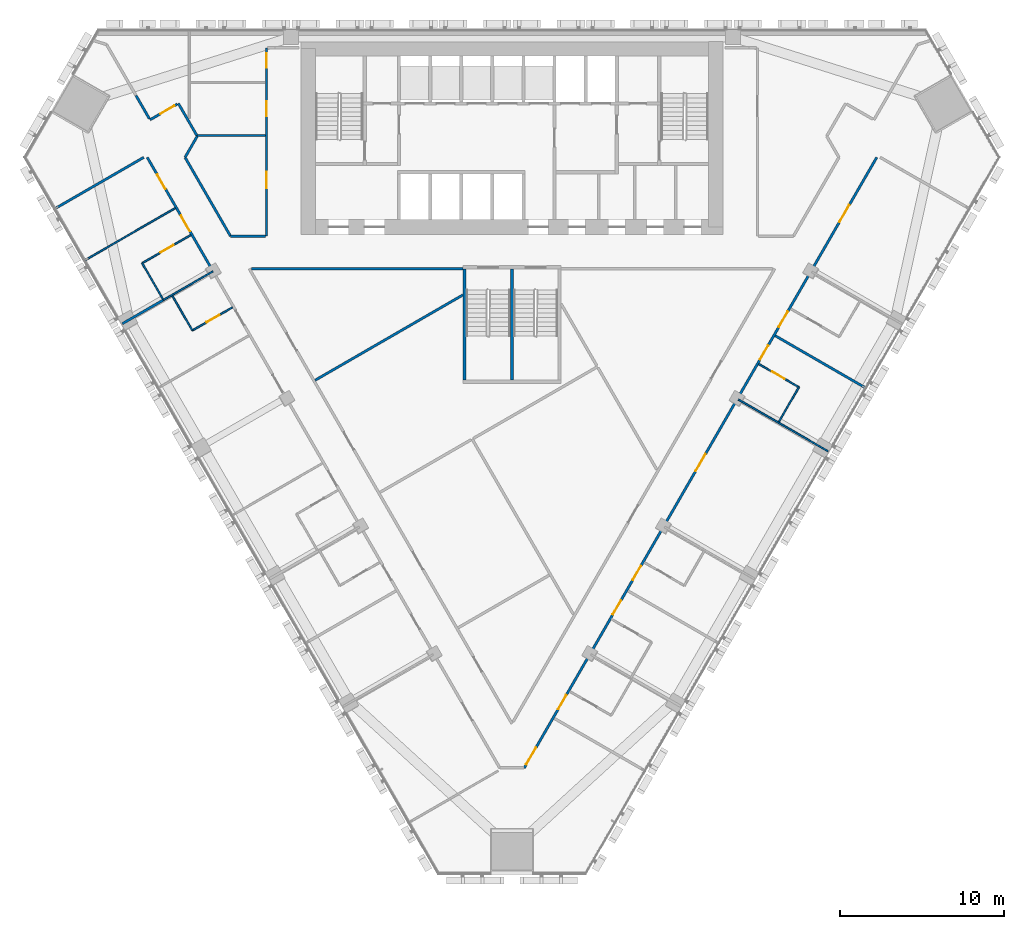
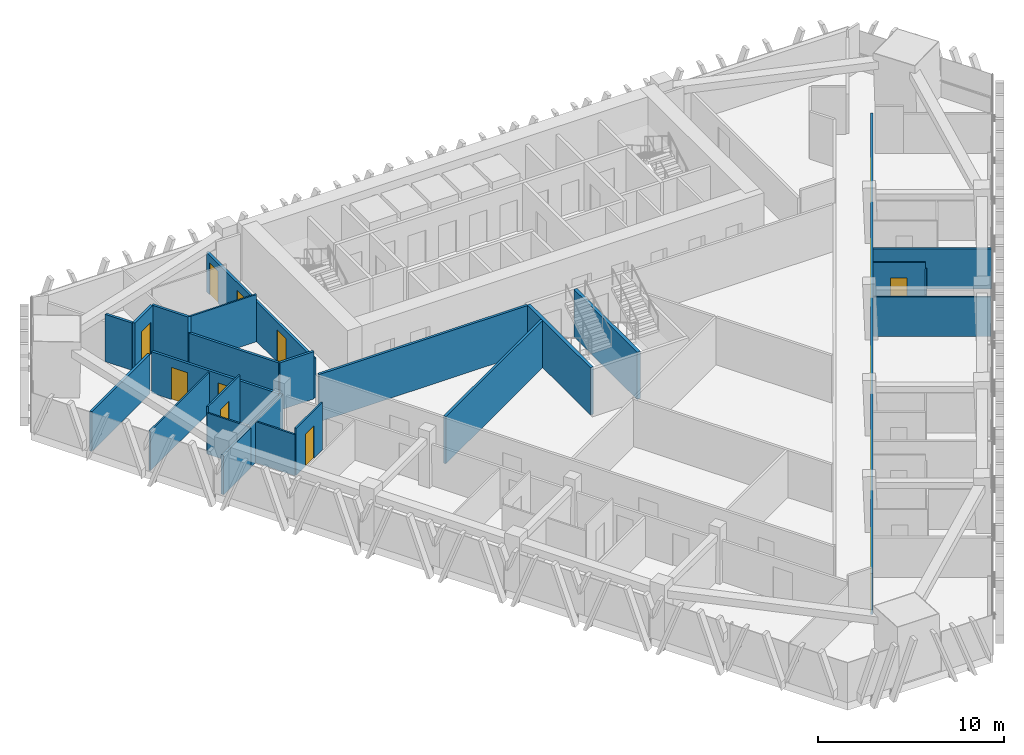
# One storey, part 10 of 16: 26 walls, 17 doors, 17 openings.
"""IFC4 building model written with IfcOpenShell, lengths in metres."""

from ifc_helpers import new_model, si_unit, direction, frame, frame_2d, origin, place, context, subcontext, project, spatial, rectangle, extrude, material, layer, layer_set, type_object, element, fill, save


model = new_model("IFC4")

# Units and contexts
model_context = context("Model", 3, precision=1e-05, world=origin(), true_north=direction((0.0, 1.0)))
body_context = subcontext(model_context, "Body", "Model", "MODEL_VIEW")
ifc_project = project(units=[si_unit("LENGTHUNIT", "METRE"), si_unit("AREAUNIT", "SQUARE_METRE"), si_unit("VOLUMEUNIT", "CUBIC_METRE"), si_unit("PLANEANGLEUNIT", "RADIAN"), si_unit("MASSUNIT", "GRAM", prefix="KILO")], contexts=[model_context])

# Site, building, storey
site_placement = place(None, origin())
site = spatial("IfcSite", under=ifc_project, at=site_placement, CompositionType="ELEMENT")
building_placement = place(site_placement, origin())
building = spatial("IfcBuilding", under=site, at=building_placement, Name="Altiplano Prism Tower", CompositionType="ELEMENT")
storey_placement = place(building_placement, frame((0.0, 0.0, 73.800048828125)))
storey = spatial("IfcBuildingStorey", under=building, at=storey_placement, Name="L18", CompositionType="ELEMENT", Elevation=73.800048828125)

# Wall
ifc_material_1 = material(Name="Plasterboard on steel stud", Category="steel")
ifc_layer_1 = layer(ifc_material_1, 0.10009765625)
ifc_layer_set_1 = layer_set([ifc_layer_1], Name="Plasterboard on steel stud")
wall_type_1 = type_object("IfcWallType", Name="Partition 100 unit", PredefinedType="PARTITIONING", material=ifc_layer_set_1)
wall_1_placement = place(storey_placement, frame((63.663818359375, 88.557373046875, 0.0), z_axis=(0.0, 0.0, 1.0), x_axis=(-0.499976333282, 0.866039067339, 0.0)))
element("IfcWall", 1, at=wall_1_placement, inside=storey, type_object=wall_type_1, Name="Partition P02 L18 034", PredefinedType="PARTITIONING", context=body_context, shape_type="SweptSolid", body=[
    extrude(rectangle(XDim=2.52490234375, YDim=0.10009765625, at=frame_2d((1.262451171875, 0.0))), origin(), (0.0, 0.0, 1.0), 2.699951171875),
])

# Wall, opening, door
wall_2_placement = place(storey_placement, frame((62.4013671875, 90.744140625, 0.0), z_axis=(0.0, 0.0, 1.0), x_axis=(0.866032454348, 0.499987787867, 0.0)))
wall_2 = element("IfcWall", 2, at=wall_2_placement, inside=storey, type_object=wall_type_1, Name="Partition P02 L18 035", PredefinedType="PARTITIONING", context=body_context, shape_type="SweptSolid", body=[
    extrude(rectangle(XDim=3.4248046875, YDim=0.10009765625, at=frame_2d((1.71240234375, 0.0))), origin(), (0.0, 0.0, 1.0), 3.099853515625),
])
opening_1_placement = place(wall_2_placement, frame((1.300048828125, 0.0, 0.0)))
opening_1 = element("IfcOpeningElement", 3, at=opening_1_placement, cuts=wall_2, Name="Opening D0688", PredefinedType="OPENING", context=body_context, shape_type="SweptSolid", body=[
    extrude(rectangle(XDim=0.89990234375, YDim=2.10009765625, at=frame_2d((0.449951171875, 1.050048828125))), frame((0.0, 0.060546875, 0.0), z_axis=(0.0, -1.0, 0.0), x_axis=(1.0, 0.0, 0.0)), (0.0, 0.0, 1.0), 0.12109375),
])
ifc_material_2 = material(Name="Timber", Category="wood")
door_type_1 = type_object("IfcDoorType", Name="Accessible ensuite door 900 x 2100", OperationType="NOTDEFINED", PredefinedType="NOTDEFINED", material=ifc_material_2)
door_1_placement = place(opening_1_placement, origin())
door_1 = element("IfcDoor", 4, at=door_1_placement, inside=storey, type_object=door_type_1, Name="Door D0688", OperationType="SINGLE_SWING_RIGHT", OverallHeight=2.10009765625, OverallWidth=0.89990234375, PredefinedType="NOTDEFINED", context=body_context, shape_type="SweptSolid", body=[
    extrude(rectangle(XDim=0.89990234375, YDim=2.10009765625, at=frame_2d((0.449951171875, 1.050048828125))), frame((0.0, 0.02490234375, 0.0), z_axis=(0.0, -1.0, 0.0), x_axis=(1.0, 0.0, 0.0)), (0.0, 0.0, 1.0), 0.050048828125),
])
fill(opening_1, door_1)

wall_3_placement = place(storey_placement, frame((67.91748046875, 88.039794921875, 0.0), z_axis=(0.0, 0.0, 1.0), x_axis=(-0.866048868473, -0.499959355765, 0.0)))
wall_3 = element("IfcWall", 5, at=wall_3_placement, inside=storey, type_object=wall_type_1, Name="Partition P02 L18 038", PredefinedType="PARTITIONING", context=body_context, shape_type="SweptSolid", body=[
    extrude(rectangle(XDim=2.824951171875, YDim=0.10009765625, at=frame_2d((1.41259765625, 0.0))), origin(), (0.0, 0.0, 1.0), 3.099853515625),
])
opening_2_placement = place(wall_3_placement, frame((0.925048828125, 0.0, 0.0)))
opening_2 = element("IfcOpeningElement", 6, at=opening_2_placement, cuts=wall_3, Name="Opening D0690", PredefinedType="OPENING", context=body_context, shape_type="SweptSolid", body=[
    extrude(rectangle(XDim=0.89990234375, YDim=2.10009765625, at=frame_2d((0.449951171875, 1.050048828125))), frame((0.0, 0.060546875, 0.0), z_axis=(0.0, -1.0, 0.0), x_axis=(1.0, 0.0, 0.0)), (0.0, 0.0, 1.0), 0.12109375),
])
door_type_2 = type_object("IfcDoorType", Name="Ensuite door 900 x 2100", OperationType="NOTDEFINED", PredefinedType="NOTDEFINED", material=ifc_material_2)
door_2_placement = place(opening_2_placement, origin())
door_2 = element("IfcDoor", 7, at=door_2_placement, inside=storey, type_object=door_type_2, Name="Door D0690", OperationType="SINGLE_SWING_LEFT", OverallHeight=2.10009765625, OverallWidth=0.89990234375, PredefinedType="NOTDEFINED", context=body_context, shape_type="SweptSolid", body=[
    extrude(rectangle(XDim=0.89990234375, YDim=2.10009765625, at=frame_2d((0.449951171875, 1.050048828125))), frame((0.0, 0.02490234375, 0.0), z_axis=(0.0, -1.0, 0.0), x_axis=(1.0, 0.0, 0.0)), (0.0, 0.0, 1.0), 0.050048828125),
])
fill(opening_2, door_2)

# Wall
wall_4_placement = place(storey_placement, frame((65.470947265625, 86.62744140625, 0.0), z_axis=(0.0, 0.0, 1.0), x_axis=(-0.499987006516, 0.866032905446, 0.0)))
element("IfcWall", 8, at=wall_4_placement, inside=storey, type_object=wall_type_1, Name="Partition P02 L18 039", PredefinedType="PARTITIONING", context=body_context, shape_type="SweptSolid", body=[
    extrude(rectangle(XDim=2.44970703125, YDim=0.10009765625, at=frame_2d((1.224853515625, 0.0))), origin(), (0.0, 0.0, 1.0), 2.699951171875),
])

# Wall, opening, door
wall_5_placement = place(storey_placement, frame((100.08251953125, 84.57568359375, 0.0), z_axis=(0.0, 0.0, 1.0), x_axis=(0.866048868473, -0.499959355765, 0.0)))
wall_5 = element("IfcWall", 9, at=wall_5_placement, inside=storey, type_object=wall_type_1, Name="Partition P02 L18 063", PredefinedType="PARTITIONING", context=body_context, shape_type="SweptSolid", body=[
    extrude(rectangle(XDim=2.824951171875, YDim=0.10009765625, at=frame_2d((1.41259765625, 0.0))), origin(), (0.0, 0.0, 1.0), 3.099853515625),
])
opening_3_placement = place(wall_5_placement, frame((0.925048828125, 0.0, 0.0)))
opening_3 = element("IfcOpeningElement", 10, at=opening_3_placement, cuts=wall_5, Name="Opening D0707", PredefinedType="OPENING", context=body_context, shape_type="SweptSolid", body=[
    extrude(rectangle(XDim=0.89990234375, YDim=2.10009765625, at=frame_2d((0.449951171875, 1.050048828125))), frame((0.0, 0.060546875, 0.0), z_axis=(0.0, -1.0, 0.0), x_axis=(1.0, 0.0, 0.0)), (0.0, 0.0, 1.0), 0.12109375),
])
door_3_placement = place(opening_3_placement, origin())
door_3 = element("IfcDoor", 11, at=door_3_placement, inside=storey, type_object=door_type_2, Name="Door D0707", OperationType="SINGLE_SWING_LEFT", OverallHeight=2.10009765625, OverallWidth=0.89990234375, PredefinedType="NOTDEFINED", context=body_context, shape_type="SweptSolid", body=[
    extrude(rectangle(XDim=0.89990234375, YDim=2.10009765625, at=frame_2d((0.449951171875, 1.050048828125))), frame((0.0, 0.02490234375, 0.0), z_axis=(0.0, -1.0, 0.0), x_axis=(1.0, 0.0, 0.0)), (0.0, 0.0, 1.0), 0.050048828125),
])
fill(opening_3, door_3)

# Walls
wall_6_placement = place(storey_placement, frame((102.529052734375, 83.163330078125, 0.0), z_axis=(0.0, 0.0, 1.0), x_axis=(-0.500018594424, -0.866014668023, 0.0)))
element("IfcWall", 12, at=wall_6_placement, inside=storey, type_object=wall_type_1, Name="Partition P02 L18 064", PredefinedType="PARTITIONING", context=body_context, shape_type="SweptSolid", body=[
    extrude(rectangle(XDim=2.4501953125, YDim=0.10009765625, at=frame_2d((1.22509765625, 0.0))), origin(), (0.0, 0.0, 1.0), 2.699951171875),
])
ifc_layer_2 = layer(ifc_material_1, 0.10009765625)
ifc_layer_set_2 = layer_set([ifc_layer_2], Name="Plasterboard on steel stud")
wall_type_2 = type_object("IfcWallType", Name="Partition 100 wet", PredefinedType="PARTITIONING", material=ifc_layer_set_2)
wall_7_placement = place(storey_placement, frame((65.7431640625, 98.54541015625, 0.0), z_axis=(0.0, 0.0, 1.0), x_axis=(1.0, 0.0, 0.0)))
element("IfcWall", 13, at=wall_7_placement, inside=storey, type_object=wall_type_2, Name="Partition P03 L18 028", PredefinedType="PARTITIONING", context=body_context, shape_type="SweptSolid", body=[
    extrude(rectangle(XDim=4.181884765625, YDim=0.10009765625, at=frame_2d((2.0908203125, 0.0))), origin(), (0.0, 0.0, 1.0), 3.099853515625),
])
wall_8_placement = place(storey_placement, frame((58.92236328125, 90.929443359375, 0.0), z_axis=(0.0, 0.0, 1.0), x_axis=(0.866025401434, 0.500000004071, 0.0)))
element("IfcWall", 14, at=wall_8_placement, inside=storey, type_object=wall_type_2, Name="Partition P03 L18 033", PredefinedType="PARTITIONING", context=body_context, shape_type="SweptSolid", body=[
    extrude(rectangle(XDim=6.34521484375, YDim=0.10009765625, at=frame_2d((3.172607421875, 0.0))), origin(), (0.0, 0.0, 1.0), 2.599853515625),
])
wall_9_placement = place(storey_placement, frame((63.68408203125, 88.482421875, 0.0), z_axis=(0.0, 0.0, 1.0), x_axis=(0.866019260715, 0.500010639957, 0.0)))
element("IfcWall", 15, at=wall_9_placement, inside=storey, type_object=wall_type_2, Name="Partition P03 L18 037", PredefinedType="PARTITIONING", context=body_context, shape_type="SweptSolid", body=[
    extrude(rectangle(XDim=3.52001953125, YDim=0.10009765625, at=frame_2d((1.760009765625, 0.0))), origin(), (0.0, 0.0, 1.0), 2.699951171875),
])
wall_10_placement = place(storey_placement, frame((104.31005859375, 79.248291015625, 0.0), z_axis=(0.0, 0.0, 1.0), x_axis=(-0.866032601554, 0.49998753289, 0.0)))
element("IfcWall", 16, at=wall_10_placement, inside=storey, type_object=wall_type_2, Name="Partition P03 L18 062", PredefinedType="PARTITIONING", context=body_context, shape_type="SweptSolid", body=[
    extrude(rectangle(XDim=6.324951171875, YDim=0.10009765625, at=frame_2d((3.16259765625, 0.0))), origin(), (0.0, 0.0, 1.0), 2.599853515625),
])
ifc_layer_3 = layer(ifc_material_1, 0.14990234375)
ifc_layer_set_3 = layer_set([ifc_layer_3], Name="Plasterboard on steel stud")
wall_type_3 = type_object("IfcWallType", Name="Partition 150 corridor", PredefinedType="PARTITIONING", material=ifc_layer_set_3)
wall_11_placement = place(storey_placement, frame((65.7431640625, 98.54541015625, 0.0), z_axis=(0.0, 0.0, 1.0), x_axis=(-0.500383896675, 0.865803647456, 0.0)))
element("IfcWall", 17, at=wall_11_placement, inside=storey, type_object=wall_type_3, Name="Partition P06 L18 003", PredefinedType="PARTITIONING", context=body_context, shape_type="SweptSolid", body=[
    extrude(rectangle(XDim=2.257568359375, YDim=0.14990234375, at=frame_2d((1.12890625, 0.0))), origin(), (0.0, 0.0, 1.0), 3.099853515625),
])

# Wall, opening, door
wall_12_placement = place(storey_placement, frame((64.548583984375, 100.46240234375, 0.0), z_axis=(0.0, 0.0, 1.0), x_axis=(-0.866033512162, -0.499985955615, 0.0)))
wall_12 = element("IfcWall", 18, at=wall_12_placement, inside=storey, type_object=wall_type_3, Name="Partition P06 L18 004", PredefinedType="PARTITIONING", context=body_context, shape_type="SweptSolid", body=[
    extrude(rectangle(XDim=1.9248046875, YDim=0.14990234375, at=frame_2d((0.96240234375, 0.0))), origin(), (0.0, 0.0, 1.0), 3.099853515625),
])
opening_4_placement = place(wall_12_placement, frame((0.199951171875, 0.0, 0.0)))
opening_4 = element("IfcOpeningElement", 19, at=opening_4_placement, cuts=wall_12, Name="Opening D0684", PredefinedType="OPENING", context=body_context, shape_type="SweptSolid", body=[
    extrude(rectangle(XDim=1.0, YDim=2.10009765625, at=frame_2d((0.5, 1.050048828125))), frame((0.0, 0.08544921875, 0.0), z_axis=(0.0, -1.0, 0.0), x_axis=(1.0, 0.0, 0.0)), (0.0, 0.0, 1.0), 0.1708984375),
])
door_type_3 = type_object("IfcDoorType", Name="Store door 1000 x 2100", OperationType="NOTDEFINED", PredefinedType="NOTDEFINED", material=ifc_material_2)
door_4_placement = place(opening_4_placement, origin())
door_4 = element("IfcDoor", 20, at=door_4_placement, inside=storey, type_object=door_type_3, Name="Door D0684", OperationType="SINGLE_SWING_LEFT", OverallHeight=2.10009765625, OverallWidth=1.0, PredefinedType="NOTDEFINED", context=body_context, shape_type="SweptSolid", body=[
    extrude(rectangle(XDim=1.0, YDim=2.10009765625, at=frame_2d((0.5, 1.050048828125))), frame((0.0, 0.02490234375, 0.0), z_axis=(0.0, -1.0, 0.0), x_axis=(1.0, 0.0, 0.0)), (0.0, 0.0, 1.0), 0.050048828125),
])
fill(opening_4, door_4)

# Wall
wall_13_placement = place(storey_placement, frame((62.843994140625, 99.56494140625, 0.0), z_axis=(0.0, 0.0, 1.0), x_axis=(-0.50001794124, 0.866015045157, 0.0)))
element("IfcWall", 21, at=wall_13_placement, inside=storey, type_object=wall_type_3, Name="Partition P06 L18 005", PredefinedType="PARTITIONING", context=body_context, shape_type="SweptSolid", body=[
    extrude(rectangle(XDim=1.64501953125, YDim=0.14990234375, at=frame_2d((0.822509765625, 0.0))), origin(), (0.0, 0.0, 1.0), 3.099853515625),
])

# Wall, openings, doors
wall_14_placement = place(storey_placement, frame((70.0, 103.89990234375, 0.0), z_axis=(0.0, 0.0, 1.0), x_axis=(0.0, -1.0, 0.0)))
wall_14 = element("IfcWall", 22, at=wall_14_placement, inside=storey, type_object=wall_type_3, Name="Partition P06 L18 006", PredefinedType="PARTITIONING", context=body_context, shape_type="SweptSolid", body=[
    extrude(rectangle(XDim=11.5, YDim=0.14990234375, at=frame_2d((5.75, 0.0))), origin(), (0.0, 0.0, 1.0), 2.599853515625),
])
opening_5_placement = place(wall_14_placement, frame((3.27392578125, 0.0, 0.0)))
opening_5 = element("IfcOpeningElement", 23, at=opening_5_placement, cuts=wall_14, Name="Opening D0682", PredefinedType="OPENING", context=body_context, shape_type="SweptSolid", body=[
    extrude(rectangle(XDim=0.89990234375, YDim=2.10009765625, at=frame_2d((0.449951171875, 1.050048828125))), frame((0.0, 0.08544921875, 0.0), z_axis=(0.0, -1.0, 0.0), x_axis=(1.0, 0.0, 0.0)), (0.0, 0.0, 1.0), 0.1708984375),
])
opening_6_placement = place(wall_14_placement, frame((0.3291015625, 0.0, 0.0)))
opening_6 = element("IfcOpeningElement", 24, at=opening_6_placement, cuts=wall_14, Name="Opening D0683", PredefinedType="OPENING", context=body_context, shape_type="SweptSolid", body=[
    extrude(rectangle(XDim=0.89990234375, YDim=2.10009765625, at=frame_2d((0.449951171875, 1.050048828125))), frame((0.0, 0.08544921875, 0.0), z_axis=(0.0, -1.0, 0.0), x_axis=(1.0, 0.0, 0.0)), (0.0, 0.0, 1.0), 0.1708984375),
])
opening_7_placement = place(wall_14_placement, frame((7.56591796875, 0.0, 0.0)))
opening_7 = element("IfcOpeningElement", 25, at=opening_7_placement, cuts=wall_14, Name="Opening D0685", PredefinedType="OPENING", context=body_context, shape_type="SweptSolid", body=[
    extrude(rectangle(XDim=1.0, YDim=2.10009765625, at=frame_2d((0.5, 1.050048828125))), frame((0.0, 0.08544921875, 0.0), z_axis=(0.0, -1.0, 0.0), x_axis=(1.0, 0.0, 0.0)), (0.0, 0.0, 1.0), 0.1708984375),
])
door_5_placement = place(opening_7_placement, origin())
door_5 = element("IfcDoor", 26, at=door_5_placement, inside=storey, type_object=door_type_3, Name="Door D0685", OperationType="SINGLE_SWING_RIGHT", OverallHeight=2.10009765625, OverallWidth=1.0, PredefinedType="NOTDEFINED", context=body_context, shape_type="SweptSolid", body=[
    extrude(rectangle(XDim=1.0, YDim=2.10009765625, at=frame_2d((0.5, 1.050048828125))), frame((0.0, 0.02490234375, 0.0), z_axis=(0.0, -1.0, 0.0), x_axis=(1.0, 0.0, 0.0)), (0.0, 0.0, 1.0), 0.050048828125),
])
fill(opening_7, door_5)
door_type_4 = type_object("IfcDoorType", Name="Toilet door 900 x 2100", OperationType="NOTDEFINED", PredefinedType="NOTDEFINED", material=ifc_material_2)
door_6_placement = place(opening_5_placement, origin())
door_6 = element("IfcDoor", 27, at=door_6_placement, inside=storey, type_object=door_type_4, Name="Door D0682", OperationType="SINGLE_SWING_LEFT", OverallHeight=2.10009765625, OverallWidth=0.89990234375, PredefinedType="NOTDEFINED", context=body_context, shape_type="SweptSolid", body=[
    extrude(rectangle(XDim=0.89990234375, YDim=2.10009765625, at=frame_2d((0.449951171875, 1.050048828125))), frame((0.0, 0.02490234375, 0.0), z_axis=(0.0, -1.0, 0.0), x_axis=(1.0, 0.0, 0.0)), (0.0, 0.0, 1.0), 0.050048828125),
])
fill(opening_5, door_6)
door_7_placement = place(opening_6_placement, origin())
door_7 = element("IfcDoor", 28, at=door_7_placement, inside=storey, type_object=door_type_4, Name="Door D0683", OperationType="SINGLE_SWING_RIGHT", OverallHeight=2.10009765625, OverallWidth=0.89990234375, PredefinedType="NOTDEFINED", context=body_context, shape_type="SweptSolid", body=[
    extrude(rectangle(XDim=0.89990234375, YDim=2.10009765625, at=frame_2d((0.449951171875, 1.050048828125))), frame((0.0, 0.02490234375, 0.0), z_axis=(0.0, -1.0, 0.0), x_axis=(1.0, 0.0, 0.0)), (0.0, 0.0, 1.0), 0.050048828125),
])
fill(opening_6, door_7)

# Walls
wall_15_placement = place(storey_placement, frame((69.925048828125, 92.39990234375, 0.0), z_axis=(0.0, 0.0, 1.0), x_axis=(-1.0, 0.0, 0.0)))
element("IfcWall", 29, at=wall_15_placement, inside=storey, type_object=wall_type_3, Name="Partition P06 L18 007", PredefinedType="PARTITIONING", context=body_context, shape_type="SweptSolid", body=[
    extrude(rectangle(XDim=2.12890625, YDim=0.14990234375, at=frame_2d((1.064453125, 0.0))), origin(), (0.0, 0.0, 1.0), 3.099853515625),
])
wall_16_placement = place(storey_placement, frame((67.796142578125, 92.39990234375, 0.0), z_axis=(0.0, 0.0, 1.0), x_axis=(-0.499990275446, 0.866031018186, 0.0)))
element("IfcWall", 30, at=wall_16_placement, inside=storey, type_object=wall_type_3, Name="Partition P06 L18 008", PredefinedType="PARTITIONING", context=body_context, shape_type="SweptSolid", body=[
    extrude(rectangle(XDim=5.5498046875, YDim=0.14990234375, at=frame_2d((2.77490234375, 0.0))), origin(), (0.0, 0.0, 1.0), 3.099853515625),
])
wall_17_placement = place(storey_placement, frame((65.021240234375, 97.206298828125, 0.0), z_axis=(0.0, 0.0, 1.0), x_axis=(0.500076103225, 0.865981461108, 0.0)))
element("IfcWall", 31, at=wall_17_placement, inside=storey, type_object=wall_type_3, Name="Partition P06 L18 009", PredefinedType="PARTITIONING", context=body_context, shape_type="SweptSolid", body=[
    extrude(rectangle(XDim=1.493896484375, YDim=0.14990234375, at=frame_2d((0.7470703125, 0.0))), origin(), (0.0, 0.0, 1.0), 3.099853515625),
])

# Wall, openings, doors
wall_18_placement = place(storey_placement, frame((62.7119140625, 97.206298828125, 0.0), z_axis=(0.0, 0.0, 1.0), x_axis=(0.500014659176, -0.86601694014, 0.0)))
wall_18 = element("IfcWall", 32, at=wall_18_placement, inside=storey, type_object=wall_type_3, Name="Partition P06 L18 010", PredefinedType="PARTITIONING", context=body_context, shape_type="SweptSolid", body=[
    extrude(rectangle(XDim=7.859130859375, YDim=0.14990234375, at=frame_2d((3.9296875, 0.0))), origin(), (0.0, 0.0, 1.0), 2.699951171875),
])
opening_8_placement = place(wall_18_placement, frame((1.218017578125, 0.0, 0.0)))
opening_8 = element("IfcOpeningElement", 33, at=opening_8_placement, cuts=wall_18, Name="Opening D0686", PredefinedType="OPENING", context=body_context, shape_type="SweptSolid", body=[
    extrude(rectangle(XDim=1.0, YDim=2.10009765625, at=frame_2d((0.5, 1.050048828125))), frame((0.0, 0.08544921875, 0.0), z_axis=(0.0, -1.0, 0.0), x_axis=(1.0, 0.0, 0.0)), (0.0, 0.0, 1.0), 0.1708984375),
])
opening_9_placement = place(wall_18_placement, frame((4.112060546875, 0.0, 0.0)))
opening_9 = element("IfcOpeningElement", 34, at=opening_9_placement, cuts=wall_18, Name="Opening D0687", PredefinedType="OPENING", context=body_context, shape_type="SweptSolid", body=[
    extrude(rectangle(XDim=1.10009765625, YDim=2.10009765625, at=frame_2d((0.550048828125, 1.050048828125))), frame((0.0, 0.08544921875, 0.0), z_axis=(0.0, -1.0, 0.0), x_axis=(1.0, 0.0, 0.0)), (0.0, 0.0, 1.0), 0.1708984375),
])
door_type_5 = type_object("IfcDoorType", Name="Accessible bedroom door 1100 x 2100", OperationType="NOTDEFINED", PredefinedType="NOTDEFINED", material=ifc_material_2)
door_8_placement = place(opening_9_placement, origin())
door_8 = element("IfcDoor", 35, at=door_8_placement, inside=storey, type_object=door_type_5, Name="Door D0687", OperationType="SINGLE_SWING_RIGHT", OverallHeight=2.10009765625, OverallWidth=1.10009765625, PredefinedType="NOTDEFINED", context=body_context, shape_type="SweptSolid", body=[
    extrude(rectangle(XDim=1.10009765625, YDim=2.10009765625, at=frame_2d((0.550048828125, 1.050048828125))), frame((0.0, 0.02490234375, 0.0), z_axis=(0.0, -1.0, 0.0), x_axis=(1.0, 0.0, 0.0)), (0.0, 0.0, 1.0), 0.050048828125),
])
fill(opening_9, door_8)
door_type_6 = type_object("IfcDoorType", Name="Room door 1000 x 2100", OperationType="NOTDEFINED", PredefinedType="NOTDEFINED", material=ifc_material_2)
door_9_placement = place(opening_8_placement, origin())
door_9 = element("IfcDoor", 36, at=door_9_placement, inside=storey, type_object=door_type_6, Name="Door D0686", OperationType="SINGLE_SWING_LEFT", OverallHeight=2.10009765625, OverallWidth=1.0, PredefinedType="NOTDEFINED", context=body_context, shape_type="SweptSolid", body=[
    extrude(rectangle(XDim=1.0, YDim=2.10009765625, at=frame_2d((0.5, 1.050048828125))), frame((0.0, 0.02490234375, 0.0), z_axis=(0.0, -1.0, 0.0), x_axis=(1.0, 0.0, 0.0)), (0.0, 0.0, 1.0), 0.050048828125),
])
fill(opening_8, door_9)

wall_19_placement = place(storey_placement, frame((85.746826171875, 59.89599609375, 0.0), z_axis=(0.0, 0.0, 1.0), x_axis=(0.500002549277, 0.866023931954, 0.0)))
wall_19 = element("IfcWall", 37, at=wall_19_placement, inside=storey, type_object=wall_type_3, Name="Partition P06 L18 013", PredefinedType="PARTITIONING", context=body_context, shape_type="SweptSolid", body=[
    extrude(rectangle(XDim=43.082275390625, YDim=0.14990234375, at=frame_2d((21.541015625, 0.0))), origin(), (0.0, 0.0, 1.0), 2.699951171875),
])
opening_10_placement = place(wall_19_placement, frame((0.243896484375, 0.0, 0.0)))
opening_10 = element("IfcOpeningElement", 38, at=opening_10_placement, cuts=wall_19, Name="Opening D0698", PredefinedType="OPENING", context=body_context, shape_type="SweptSolid", body=[
    extrude(rectangle(XDim=1.199951171875, YDim=2.10009765625, at=frame_2d((0.60009765625, 1.050048828125))), frame((0.0, 0.08544921875, 0.0), z_axis=(0.0, -1.0, 0.0), x_axis=(1.0, 0.0, 0.0)), (0.0, 0.0, 1.0), 0.1708984375),
])
opening_11_placement = place(wall_19_placement, frame((4.14599609375, 0.0, 0.0)))
opening_11 = element("IfcOpeningElement", 39, at=opening_11_placement, cuts=wall_19, Name="Opening D0699", PredefinedType="OPENING", context=body_context, shape_type="SweptSolid", body=[
    extrude(rectangle(XDim=1.0, YDim=2.10009765625, at=frame_2d((0.5, 1.050048828125))), frame((0.0, 0.08544921875, 0.0), z_axis=(0.0, -1.0, 0.0), x_axis=(1.0, 0.0, 0.0)), (0.0, 0.0, 1.0), 0.1708984375),
])
opening_12_placement = place(wall_19_placement, frame((10.821044921875, 0.0, 0.0)))
opening_12 = element("IfcOpeningElement", 40, at=opening_12_placement, cuts=wall_19, Name="Opening D0701", PredefinedType="OPENING", context=body_context, shape_type="SweptSolid", body=[
    extrude(rectangle(XDim=1.0, YDim=2.10009765625, at=frame_2d((0.5, 1.050048828125))), frame((0.0, 0.08544921875, 0.0), z_axis=(0.0, -1.0, 0.0), x_axis=(1.0, 0.0, 0.0)), (0.0, 0.0, 1.0), 0.1708984375),
])
opening_13_placement = place(wall_19_placement, frame((13.261962890625, 0.0, 0.0)))
opening_13 = element("IfcOpeningElement", 41, at=opening_13_placement, cuts=wall_19, Name="Opening D0703", PredefinedType="OPENING", context=body_context, shape_type="SweptSolid", body=[
    extrude(rectangle(XDim=1.0, YDim=2.10009765625, at=frame_2d((0.5, 1.050048828125))), frame((0.0, 0.08544921875, 0.0), z_axis=(0.0, -1.0, 0.0), x_axis=(1.0, 0.0, 0.0)), (0.0, 0.0, 1.0), 0.1708984375),
])
opening_14_placement = place(wall_19_placement, frame((20.94091796875, 0.0, 0.0)))
opening_14 = element("IfcOpeningElement", 42, at=opening_14_placement, cuts=wall_19, Name="Opening D0705", PredefinedType="OPENING", context=body_context, shape_type="SweptSolid", body=[
    extrude(rectangle(XDim=1.199951171875, YDim=2.10009765625, at=frame_2d((0.60009765625, 1.050048828125))), frame((0.0, 0.08544921875, 0.0), z_axis=(0.0, -1.0, 0.0), x_axis=(1.0, 0.0, 0.0)), (0.0, 0.0, 1.0), 0.1708984375),
])
opening_15_placement = place(wall_19_placement, frame((28.821044921875, 0.0, 0.0)))
opening_15 = element("IfcOpeningElement", 43, at=opening_15_placement, cuts=wall_19, Name="Opening D0706", PredefinedType="OPENING", context=body_context, shape_type="SweptSolid", body=[
    extrude(rectangle(XDim=1.0, YDim=2.10009765625, at=frame_2d((0.5, 1.050048828125))), frame((0.0, 0.08544921875, 0.0), z_axis=(0.0, -1.0, 0.0), x_axis=(1.0, 0.0, 0.0)), (0.0, 0.0, 1.0), 0.1708984375),
])
opening_16_placement = place(wall_19_placement, frame((31.112060546875, 0.0, 0.0)))
opening_16 = element("IfcOpeningElement", 44, at=opening_16_placement, cuts=wall_19, Name="Opening D0708", PredefinedType="OPENING", context=body_context, shape_type="SweptSolid", body=[
    extrude(rectangle(XDim=1.10009765625, YDim=2.10009765625, at=frame_2d((0.550048828125, 1.050048828125))), frame((0.0, 0.08544921875, 0.0), z_axis=(0.0, -1.0, 0.0), x_axis=(1.0, 0.0, 0.0)), (0.0, 0.0, 1.0), 0.1708984375),
])
opening_17_placement = place(wall_19_placement, frame((38.513916015625, 0.0, 0.0)))
opening_17 = element("IfcOpeningElement", 45, at=opening_17_placement, cuts=wall_19, Name="Opening D0710", PredefinedType="OPENING", context=body_context, shape_type="SweptSolid", body=[
    extrude(rectangle(XDim=1.199951171875, YDim=2.10009765625, at=frame_2d((0.60009765625, 1.050048828125))), frame((0.0, 0.08544921875, 0.0), z_axis=(0.0, -1.0, 0.0), x_axis=(1.0, 0.0, 0.0)), (0.0, 0.0, 1.0), 0.1708984375),
])
door_10_placement = place(opening_16_placement, origin())
door_10 = element("IfcDoor", 46, at=door_10_placement, inside=storey, type_object=door_type_5, Name="Door D0708", OperationType="SINGLE_SWING_LEFT", OverallHeight=2.10009765625, OverallWidth=1.10009765625, PredefinedType="NOTDEFINED", context=body_context, shape_type="SweptSolid", body=[
    extrude(rectangle(XDim=1.10009765625, YDim=2.10009765625, at=frame_2d((0.550048828125, 1.050048828125))), frame((0.0, 0.02490234375, 0.0), z_axis=(0.0, -1.0, 0.0), x_axis=(1.0, 0.0, 0.0)), (0.0, 0.0, 1.0), 0.050048828125),
])
fill(opening_16, door_10)
door_type_7 = type_object("IfcDoorType", Name="Bedroom entrance door 1000 x 2100", OperationType="NOTDEFINED", PredefinedType="NOTDEFINED", material=ifc_material_2)
door_11_placement = place(opening_11_placement, origin())
door_11 = element("IfcDoor", 47, at=door_11_placement, inside=storey, type_object=door_type_7, Name="Door D0699", OperationType="SINGLE_SWING_RIGHT", OverallHeight=2.10009765625, OverallWidth=1.0, PredefinedType="NOTDEFINED", context=body_context, shape_type="SweptSolid", body=[
    extrude(rectangle(XDim=1.0, YDim=2.10009765625, at=frame_2d((0.5, 1.050048828125))), frame((0.0, 0.02490234375, 0.0), z_axis=(0.0, -1.0, 0.0), x_axis=(1.0, 0.0, 0.0)), (0.0, 0.0, 1.0), 0.050048828125),
])
fill(opening_11, door_11)
door_12_placement = place(opening_12_placement, origin())
door_12 = element("IfcDoor", 48, at=door_12_placement, inside=storey, type_object=door_type_7, Name="Door D0701", OperationType="SINGLE_SWING_LEFT", OverallHeight=2.10009765625, OverallWidth=1.0, PredefinedType="NOTDEFINED", context=body_context, shape_type="SweptSolid", body=[
    extrude(rectangle(XDim=1.0, YDim=2.10009765625, at=frame_2d((0.5, 1.050048828125))), frame((0.0, 0.02490234375, 0.0), z_axis=(0.0, -1.0, 0.0), x_axis=(1.0, 0.0, 0.0)), (0.0, 0.0, 1.0), 0.050048828125),
])
fill(opening_12, door_12)
door_13_placement = place(opening_13_placement, origin())
door_13 = element("IfcDoor", 49, at=door_13_placement, inside=storey, type_object=door_type_7, Name="Door D0703", OperationType="SINGLE_SWING_RIGHT", OverallHeight=2.10009765625, OverallWidth=1.0, PredefinedType="NOTDEFINED", context=body_context, shape_type="SweptSolid", body=[
    extrude(rectangle(XDim=1.0, YDim=2.10009765625, at=frame_2d((0.5, 1.050048828125))), frame((0.0, 0.02490234375, 0.0), z_axis=(0.0, -1.0, 0.0), x_axis=(1.0, 0.0, 0.0)), (0.0, 0.0, 1.0), 0.050048828125),
])
fill(opening_13, door_13)
door_14_placement = place(opening_15_placement, origin())
door_14 = element("IfcDoor", 50, at=door_14_placement, inside=storey, type_object=door_type_7, Name="Door D0706", OperationType="SINGLE_SWING_RIGHT", OverallHeight=2.10009765625, OverallWidth=1.0, PredefinedType="NOTDEFINED", context=body_context, shape_type="SweptSolid", body=[
    extrude(rectangle(XDim=1.0, YDim=2.10009765625, at=frame_2d((0.5, 1.050048828125))), frame((0.0, 0.02490234375, 0.0), z_axis=(0.0, -1.0, 0.0), x_axis=(1.0, 0.0, 0.0)), (0.0, 0.0, 1.0), 0.050048828125),
])
fill(opening_15, door_14)
door_type_8 = type_object("IfcDoorType", Name="Shared room door 1200 x 2100", OperationType="NOTDEFINED", PredefinedType="NOTDEFINED", material=ifc_material_2)
door_15_placement = place(opening_10_placement, origin())
door_15 = element("IfcDoor", 51, at=door_15_placement, inside=storey, type_object=door_type_8, Name="Door D0698", OperationType="SINGLE_SWING_LEFT", OverallHeight=2.10009765625, OverallWidth=1.199951171875, PredefinedType="NOTDEFINED", context=body_context, shape_type="SweptSolid", body=[
    extrude(rectangle(XDim=1.199951171875, YDim=2.10009765625, at=frame_2d((0.60009765625, 1.050048828125))), frame((0.0, 0.02490234375, 0.0), z_axis=(0.0, -1.0, 0.0), x_axis=(1.0, 0.0, 0.0)), (0.0, 0.0, 1.0), 0.050048828125),
])
fill(opening_10, door_15)
door_16_placement = place(opening_14_placement, origin())
door_16 = element("IfcDoor", 52, at=door_16_placement, inside=storey, type_object=door_type_8, Name="Door D0705", OperationType="SINGLE_SWING_RIGHT", OverallHeight=2.10009765625, OverallWidth=1.199951171875, PredefinedType="NOTDEFINED", context=body_context, shape_type="SweptSolid", body=[
    extrude(rectangle(XDim=1.199951171875, YDim=2.10009765625, at=frame_2d((0.60009765625, 1.050048828125))), frame((0.0, 0.02490234375, 0.0), z_axis=(0.0, -1.0, 0.0), x_axis=(1.0, 0.0, 0.0)), (0.0, 0.0, 1.0), 0.050048828125),
])
fill(opening_14, door_16)
door_17_placement = place(opening_17_placement, origin())
door_17 = element("IfcDoor", 53, at=door_17_placement, inside=storey, type_object=door_type_8, Name="Door D0710", OperationType="SINGLE_SWING_LEFT", OverallHeight=2.10009765625, OverallWidth=1.199951171875, PredefinedType="NOTDEFINED", context=body_context, shape_type="SweptSolid", body=[
    extrude(rectangle(XDim=1.199951171875, YDim=2.10009765625, at=frame_2d((0.60009765625, 1.050048828125))), frame((0.0, 0.02490234375, 0.0), z_axis=(0.0, -1.0, 0.0), x_axis=(1.0, 0.0, 0.0)), (0.0, 0.0, 1.0), 0.050048828125),
])
fill(opening_17, door_17)

# Walls
wall_20_placement = place(storey_placement, frame((69.080810546875, 90.39990234375, 0.0), z_axis=(0.0, 0.0, 1.0), x_axis=(1.0, 0.0, 0.0)))
element("IfcWall", 54, at=wall_20_placement, inside=storey, type_object=wall_type_3, Name="Partition P06 L18 026", PredefinedType="PARTITIONING", context=body_context, shape_type="SweptSolid", body=[
    extrude(rectangle(XDim=12.919189453125, YDim=0.14990234375, at=frame_2d((6.45947265625, 0.0))), origin(), (0.0, 0.0, 1.0), 3.099853515625),
])
wall_21_placement = place(storey_placement, frame((57.098876953125, 94.087890625, 0.0), z_axis=(0.0, 0.0, 1.0), x_axis=(0.866030443922, 0.499991270124, 0.0)))
element("IfcWall", 55, at=wall_21_placement, inside=storey, type_object=wall_type_3, Name="Partition P06 L18 032", PredefinedType="PARTITIONING", context=body_context, shape_type="SweptSolid", body=[
    extrude(rectangle(XDim=6.23681640625, YDim=0.14990234375, at=frame_2d((3.118408203125, 0.0))), origin(), (0.0, 0.0, 1.0), 2.599853515625),
])
ifc_layer_4 = layer(ifc_material_1, 0.14990234375)
ifc_layer_set_4 = layer_set([ifc_layer_4], Name="Plasterboard on steel stud")
wall_type_4 = type_object("IfcWallType", Name="Partition 150 party", PredefinedType="PARTITIONING", material=ifc_layer_set_4)
wall_22_placement = place(storey_placement, frame((61.18994140625, 87.04248046875, 0.0), z_axis=(0.0, 0.0, 1.0), x_axis=(0.866032430508, 0.49998782916, 0.0)))
element("IfcWall", 56, at=wall_22_placement, inside=storey, type_object=wall_type_4, Name="Partition P01 L18 036", PredefinedType="PARTITIONING", context=body_context, shape_type="SweptSolid", body=[
    extrude(rectangle(XDim=2.919921875, YDim=0.14990234375, at=frame_2d((1.4599609375, 0.0))), origin(), (0.0, 0.0, 1.0), 2.599853515625),
])
wall_23_placement = place(storey_placement, frame((106.57763671875, 83.13525390625, 0.0), z_axis=(0.0, 0.0, 1.0), x_axis=(-0.866025401434, 0.500000004071, 0.0)))
element("IfcWall", 57, at=wall_23_placement, inside=storey, type_object=wall_type_4, Name="Partition P01 L18 065", PredefinedType="PARTITIONING", context=body_context, shape_type="SweptSolid", body=[
    extrude(rectangle(XDim=6.34521484375, YDim=0.14990234375, at=frame_2d((3.172607421875, 0.0))), origin(), (0.0, 0.0, 1.0), 2.599853515625),
])
wall_24_placement = place(storey_placement, frame((82.0, 88.80029296875, 0.0), z_axis=(0.0, 0.0, 1.0), x_axis=(-0.866026874108, -0.499997453315, 0.0)))
element("IfcWall", 58, at=wall_24_placement, inside=storey, type_object=wall_type_4, Name="Partition P01 L18 077", PredefinedType="PARTITIONING", context=body_context, shape_type="SweptSolid", body=[
    extrude(rectangle(XDim=10.42578125, YDim=0.14990234375, at=frame_2d((5.212890625, 0.0))), origin(), (0.0, 0.0, 1.0), 3.099853515625),
])
ifc_material_3 = material(Name="Concrete C60/75", Category="concrete")
ifc_layer_5 = layer(ifc_material_3, 0.199951171875)
ifc_layer_set_5 = layer_set([ifc_layer_5], Name="Concrete C60/75")
wall_type_5 = type_object("IfcWallType", Name="Stair wall 200", PredefinedType="SOLIDWALL", material=ifc_layer_set_5)
for number, where, z_axis, x_axis, name in (
    (59, (82.10009765625, 83.60009765625, 0.0), (0.0, 0.0, 1.0), (0.0, 1.0, 0.0), "Stair 3 wall west L18"),
    (60, (85.0, 83.60009765625, 0.0), (0.0, 0.0, 1.0), (0.0, 1.0, 0.0), "Stair 3 wall divider L18"),
):
    element("IfcWall", number, at=place(storey_placement, frame(where, z_axis=z_axis, x_axis=x_axis)), inside=storey, type_object=wall_type_5, Name=name, PredefinedType="SOLIDWALL", context=body_context, shape_type="SweptSolid", body=[
        extrude(rectangle(XDim=6.7998046875, YDim=0.199951171875, at=frame_2d((3.39990234375, 0.0))), origin(), (0.0, 0.0, 1.0), 3.099853515625),
    ])

save(model, "model.ifc")
